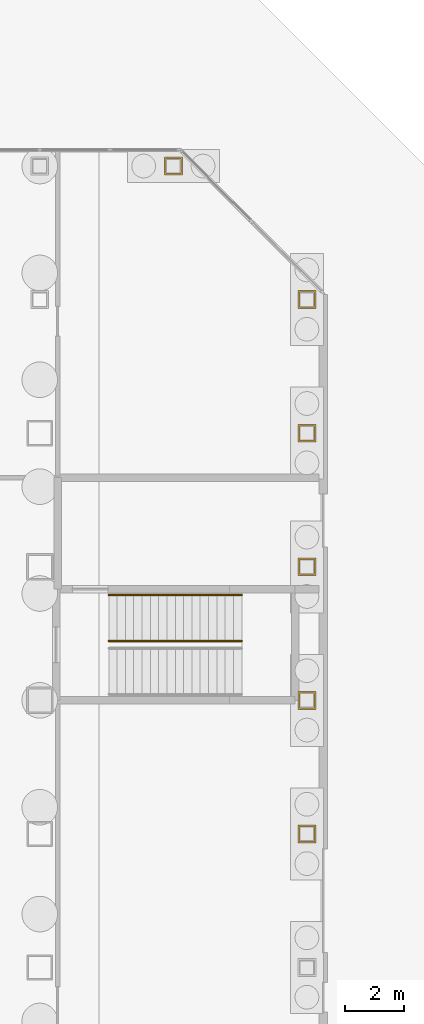
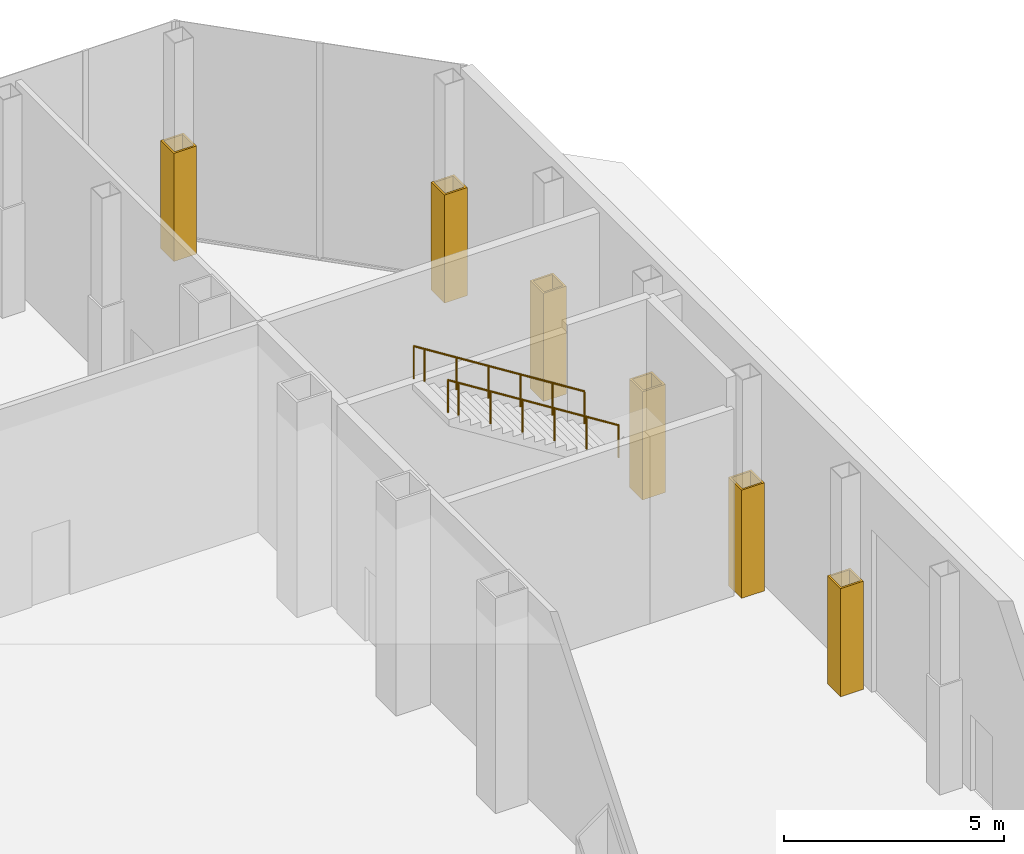
# One storey, part 22 of 24: 6 coverings, 2 railings.
"""IFC4 building model written with IfcOpenShell, lengths in metres."""

from ifc_helpers import new_model, si_unit, direction, frame, origin, origin_2d, place, context, subcontext, project, spatial, polyline, circle, outline, extrude, material, layer, layer_set, type_object, element, save


model = new_model("IFC4")

# Units and contexts
model_context = context("Model", 3, precision=1e-05, world=origin(), true_north=direction((0.0, 1.0)))
body_context = subcontext(model_context, "Body", "Model", "MODEL_VIEW")
ifc_project = project(units=[si_unit("LENGTHUNIT", "METRE"), si_unit("AREAUNIT", "SQUARE_METRE"), si_unit("VOLUMEUNIT", "CUBIC_METRE"), si_unit("PLANEANGLEUNIT", "RADIAN"), si_unit("MASSUNIT", "GRAM", prefix="KILO")], contexts=[model_context])

# Site, building, storey
site_placement = place(None, origin())
site = spatial("IfcSite", under=ifc_project, at=site_placement, CompositionType="ELEMENT")
building_placement = place(site_placement, origin())
building = spatial("IfcBuilding", under=site, at=building_placement, Name="Corais Broadcast Tower", CompositionType="ELEMENT")
storey_placement = place(building_placement, origin())
storey = spatial("IfcBuildingStorey", under=building, at=storey_placement, Name="L00", CompositionType="ELEMENT", Elevation=0.0)

# Railings
ifc_material_1 = material(Name="Stainless steel handrail", Category="steel")
railing_type = type_object("IfcRailingType", Name="Handrail 920", PredefinedType="HANDRAIL", material=ifc_material_1)
for number, where, name in (
    (1, (60.804931640625, 39.550048828125, 3.176513671875), "HR1 L00"),
    (2, (60.804931640625, 38.0, 3.176513671875), "HR1 L00"),
):
    element("IfcRailing", number, at=place(storey_placement, frame(where)), inside=storey, type_object=railing_type, Name=name, PredefinedType="HANDRAIL", context=body_context, shape_type="SweptSolid", body=[
        extrude(circle(Radius=0.02392578125, at=origin_2d()), frame((0.0, 0.0, 0.89599609375), z_axis=(-0.845997938375, 0.0, 0.533186166611), x_axis=(0.0, -1.0, 0.0)), (0.0, 0.0, 1.0), 5.29541015625),
        extrude(circle(Radius=0.02099609375, at=origin_2d()), origin(), (0.0, 0.0, 1.0), 0.871826171875),
        extrude(circle(Radius=0.02099609375, at=origin_2d()), frame((-0.840087890625, 0.0, 0.529296875)), (0.0, 0.0, 1.0), 0.871826171875),
        extrude(circle(Radius=0.02099609375, at=origin_2d()), frame((-1.679931640625, 0.0, 1.058837890625)), (0.0, 0.0, 1.0), 0.871826171875),
        extrude(circle(Radius=0.02099609375, at=origin_2d()), frame((-2.52001953125, 0.0, 1.588134765625)), (0.0, 0.0, 1.0), 0.871826171875),
        extrude(circle(Radius=0.02099609375, at=origin_2d()), frame((-3.35986328125, 0.0, 2.11767578125)), (0.0, 0.0, 1.0), 0.871826171875),
        extrude(circle(Radius=0.02099609375, at=origin_2d()), frame((-4.199951171875, 0.0, 2.64697265625)), (0.0, 0.0, 1.0), 0.871826171875),
        extrude(circle(Radius=0.02099609375, at=origin_2d()), frame((-4.47998046875, 0.0, 2.823486328125)), (0.0, 0.0, 1.0), 0.871826171875),
    ])

# Coverings
ifc_material_2 = material(Name="Granite stone cladding", Category="masonry")
ifc_layer = layer(ifc_material_2, 0.050048828125)
ifc_layer_set = layer_set([ifc_layer], Name="Granite stone cladding")
covering_type = type_object("IfcCoveringType", Name="Pier cladding", PredefinedType="CLADDING", material=ifc_layer_set)
covering_1_placement = place(storey_placement, origin())
element("IfcCovering", 3, at=covering_1_placement, inside=storey, type_object=covering_type, Name="PC pier cladding L00", PredefinedType="CLADDING", context=body_context, shape_type="SweptSolid", body=[
    extrude(outline(polyline([(62.699951171875, 31.199951171875), (63.300048828125, 31.199951171875), (63.300048828125, 31.800048828125), (62.699951171875, 31.800048828125), (62.699951171875, 31.199951171875)]), holes=[polyline([(62.75, 31.25), (63.25, 31.25), (63.25, 31.75), (62.75, 31.75), (62.75, 31.25)])]), origin(), (0.0, 0.0, 1.0), 3.0),
])
covering_2_placement = place(storey_placement, origin())
element("IfcCovering", 4, at=covering_2_placement, inside=storey, type_object=covering_type, Name="PC pier cladding L00", PredefinedType="CLADDING", context=body_context, shape_type="SweptSolid", body=[
    extrude(outline(polyline([(62.699951171875, 35.699951171875), (63.300048828125, 35.699951171875), (63.300048828125, 36.300048828125), (62.699951171875, 36.300048828125), (62.699951171875, 35.699951171875)]), holes=[polyline([(62.75, 35.75), (63.25, 35.75), (63.25, 36.25), (62.75, 36.25), (62.75, 35.75)])]), origin(), (0.0, 0.0, 1.0), 3.0),
])
covering_3_placement = place(storey_placement, origin())
element("IfcCovering", 5, at=covering_3_placement, inside=storey, type_object=covering_type, Name="PC pier cladding L00", PredefinedType="CLADDING", context=body_context, shape_type="SweptSolid", body=[
    extrude(outline(polyline([(62.699951171875, 40.199951171875), (63.300048828125, 40.199951171875), (63.300048828125, 40.800048828125), (62.699951171875, 40.800048828125), (62.699951171875, 40.199951171875)]), holes=[polyline([(62.75, 40.25), (63.25, 40.25), (63.25, 40.75), (62.75, 40.75), (62.75, 40.25)])]), origin(), (0.0, 0.0, 1.0), 3.0),
])
covering_4_placement = place(storey_placement, origin())
element("IfcCovering", 6, at=covering_4_placement, inside=storey, type_object=covering_type, Name="PC pier cladding L00", PredefinedType="CLADDING", context=body_context, shape_type="SweptSolid", body=[
    extrude(outline(polyline([(62.699951171875, 44.699951171875), (63.300048828125, 44.699951171875), (63.300048828125, 45.300048828125), (62.699951171875, 45.300048828125), (62.699951171875, 44.699951171875)]), holes=[polyline([(62.75, 44.75), (63.25, 44.75), (63.25, 45.25), (62.75, 45.25), (62.75, 44.75)])]), origin(), (0.0, 0.0, 1.0), 3.0),
])
covering_5_placement = place(storey_placement, origin())
element("IfcCovering", 7, at=covering_5_placement, inside=storey, type_object=covering_type, Name="PC pier cladding L00", PredefinedType="CLADDING", context=body_context, shape_type="SweptSolid", body=[
    extrude(outline(polyline([(62.699951171875, 49.199951171875), (63.300048828125, 49.199951171875), (63.300048828125, 49.800048828125), (62.699951171875, 49.800048828125), (62.699951171875, 49.199951171875)]), holes=[polyline([(62.75, 49.25), (63.25, 49.25), (63.25, 49.75), (62.75, 49.75), (62.75, 49.25)])]), origin(), (0.0, 0.0, 1.0), 3.0),
])
covering_6_placement = place(storey_placement, origin())
element("IfcCovering", 8, at=covering_6_placement, inside=storey, type_object=covering_type, Name="PC pier cladding L00", PredefinedType="CLADDING", context=body_context, shape_type="SweptSolid", body=[
    extrude(outline(polyline([(58.199951171875, 53.699951171875), (58.800048828125, 53.699951171875), (58.800048828125, 54.300048828125), (58.199951171875, 54.300048828125), (58.199951171875, 53.699951171875)]), holes=[polyline([(58.25, 53.75), (58.75, 53.75), (58.75, 54.25), (58.25, 54.25), (58.25, 53.75)])]), origin(), (0.0, 0.0, 1.0), 3.0),
])

save(model, "model.ifc")
